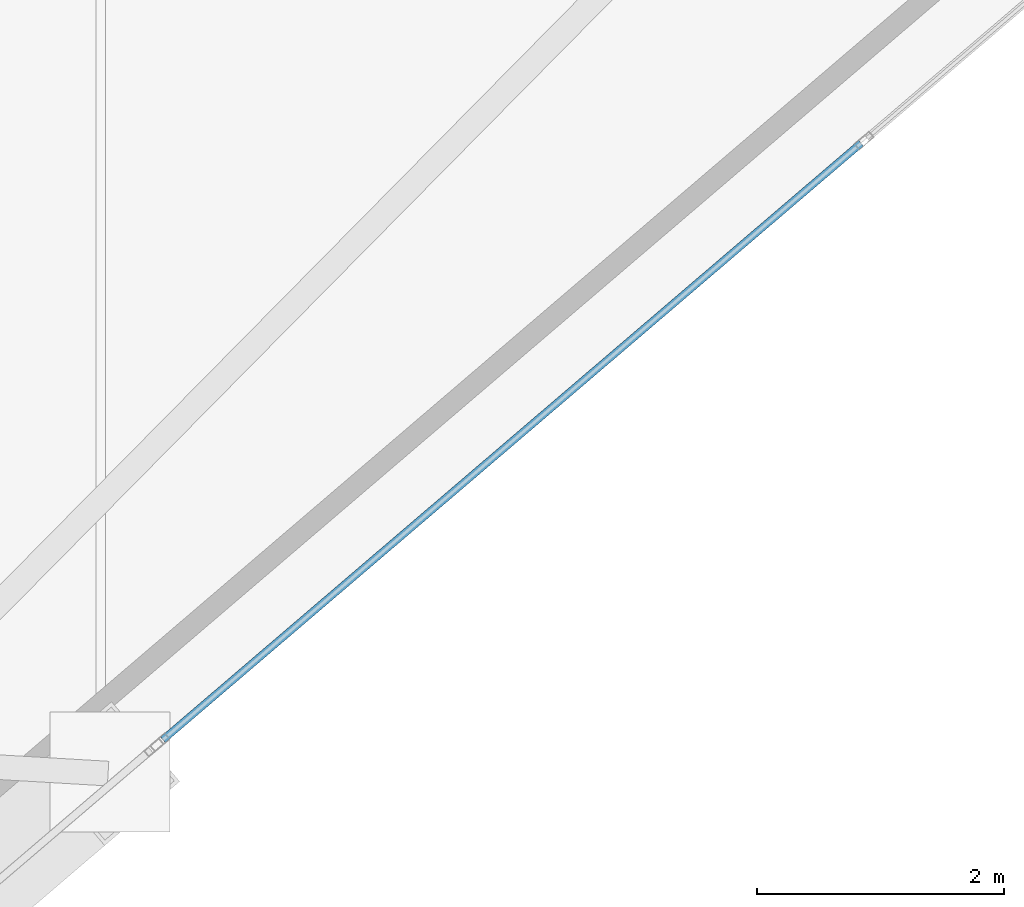
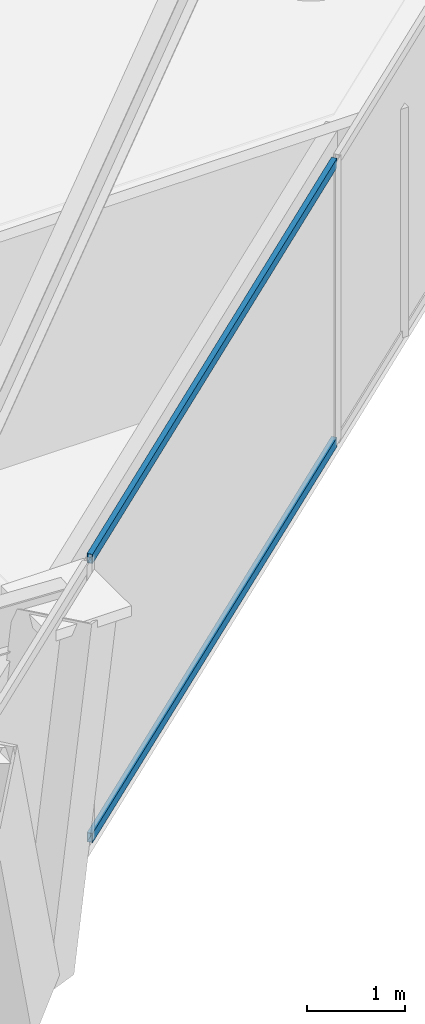
# One storey, part 7 of 23: 2 members, 1 element without a shape of its own.
"""IFC4 building model written with IfcOpenShell, lengths in metres."""

from ifc_helpers import new_model, si_unit, direction, frame, origin, origin_2d, place, context, subcontext, project, spatial, hollow_rectangle, extrude, material, layer, layer_set, material_profile, profile_set, type_object, element, aggregate, save


model = new_model("IFC4")

# Units and contexts
model_context = context("Model", 3, precision=1e-05, world=origin(), true_north=direction((0.0, 1.0)))
body_context = subcontext(model_context, "Body", "Model", "MODEL_VIEW")
ifc_project = project(units=[si_unit("LENGTHUNIT", "METRE"), si_unit("AREAUNIT", "SQUARE_METRE"), si_unit("VOLUMEUNIT", "CUBIC_METRE"), si_unit("PLANEANGLEUNIT", "RADIAN"), si_unit("MASSUNIT", "GRAM", prefix="KILO")], contexts=[model_context])

# Site, building, storey
site_placement = place(None, origin())
site = spatial("IfcSite", under=ifc_project, at=site_placement, CompositionType="ELEMENT")
building_placement = place(site_placement, origin())
building = spatial("IfcBuilding", under=site, at=building_placement, Name="Qianvela Tower", CompositionType="ELEMENT")
storey_placement = place(building_placement, frame((0.0, 0.0, 215.10009765625)))
storey = spatial("IfcBuildingStorey", under=building, at=storey_placement, Name="L55", CompositionType="ELEMENT", Elevation=215.10009765625)

# Curtain wall, members
ifc_material_1 = material(Name="Anodised Architectural Aluminium and Low-E Glass", Category="aluminium")
ifc_layer = layer(ifc_material_1, 0.159912109375)
ifc_layer_set = layer_set([ifc_layer], Name="Anodised Architectural Aluminium and Low-E Glass")
curtain_wall_type = type_object("IfcCurtainWallType", Name="CW-COLIV-Z56", PredefinedType="USERDEFINED", material=ifc_layer_set)
curtain_wall_placement = place(storey_placement, origin())
curtain_wall = element("IfcCurtainWall", 1, at=curtain_wall_placement, inside=storey, type_object=curtain_wall_type, Name="L55 CW-COLIV-Z56 Curtain Wall 06C", ObjectType="CURTAIN_WALL_SYSTEM", PredefinedType="USERDEFINED")
ifc_material_2 = material(Name="Anodised Architectural Aluminium 6063-T6", Category="aluminium")
ifc_material_profile = material_profile(ifc_material_2, hollow_rectangle(XDim=0.06005859375, YDim=0.114990234375, WallThickness=0.00390625, at=origin_2d()), Name="ALU-TRAN-60x115")
ifc_profile_set = profile_set([ifc_material_profile], Name="Anodised Architectural Aluminium 6063-T6")
member_type = type_object("IfcMemberType", Name="CW-COLIV-Z56-TRAN", PredefinedType="USERDEFINED", material=ifc_profile_set)
member_1_placement = place(storey_placement, frame((47.235107421875, 19.032470703125, 0.02978515625), z_axis=(0.760248821746, 0.649631995081, 0.0), x_axis=(-0.649631995081, 0.760248821746, 0.0)))
member_1 = element("IfcMember", 2, at=member_1_placement, type_object=member_type, Name="CW-5 transom 1.1", ObjectType="TRANSOM", PredefinedType="USERDEFINED", context=body_context, shape_type="SweptSolid", body=[
    extrude(hollow_rectangle(XDim=0.06005859375, YDim=0.114990234375, WallThickness=0.00390625, at=origin_2d()), origin(), (0.0, 0.0, 1.0), 7.444580078125),
])
member_2_placement = place(storey_placement, frame((47.235107421875, 19.032470703125, 3.489990234375), z_axis=(0.760248821746, 0.649631995081, 0.0), x_axis=(-0.649631995081, 0.760248821746, 0.0)))
member_2 = element("IfcMember", 3, at=member_2_placement, type_object=member_type, Name="CW-5 transom 1.2", ObjectType="TRANSOM", PredefinedType="USERDEFINED", context=body_context, shape_type="SweptSolid", body=[
    extrude(hollow_rectangle(XDim=0.06005859375, YDim=0.114990234375, WallThickness=0.00390625, at=origin_2d()), origin(), (0.0, 0.0, 1.0), 7.444580078125),
])
aggregate(curtain_wall, [member_1, member_2])

save(model, "model.ifc")
